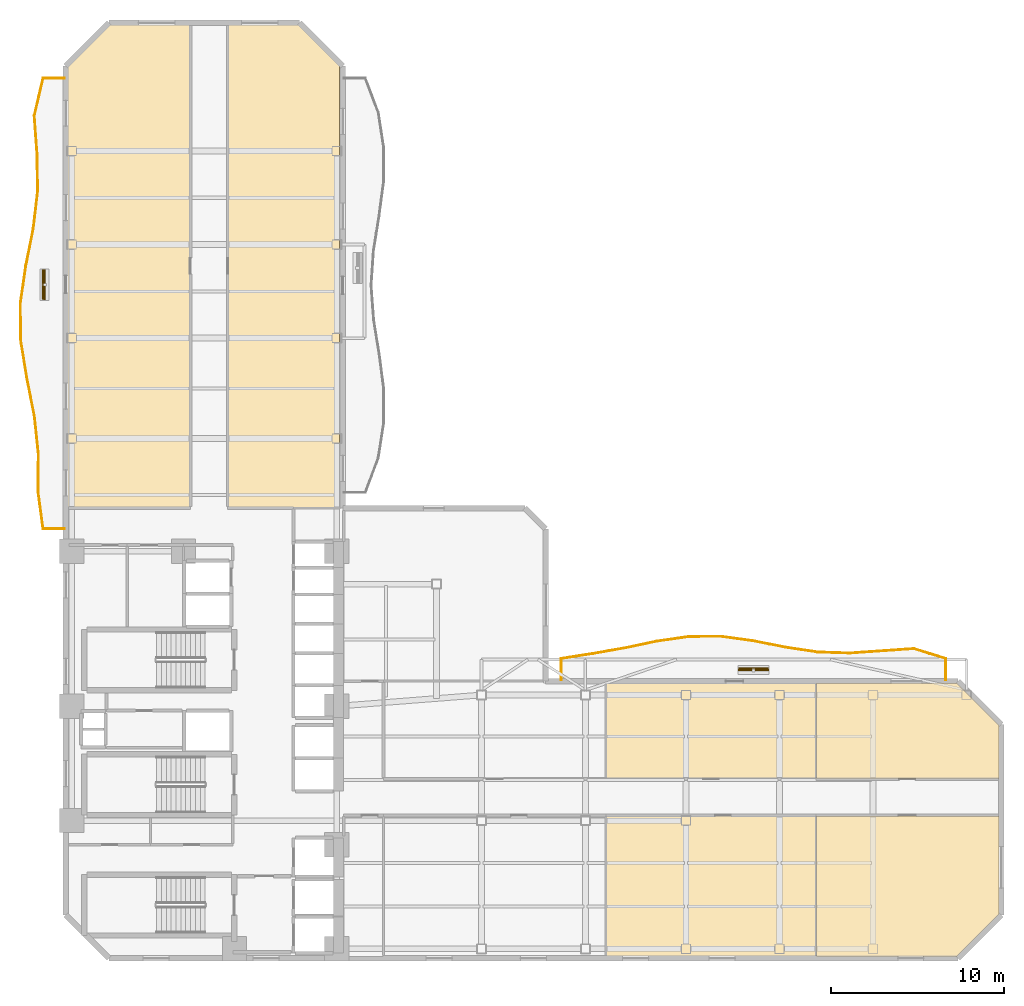
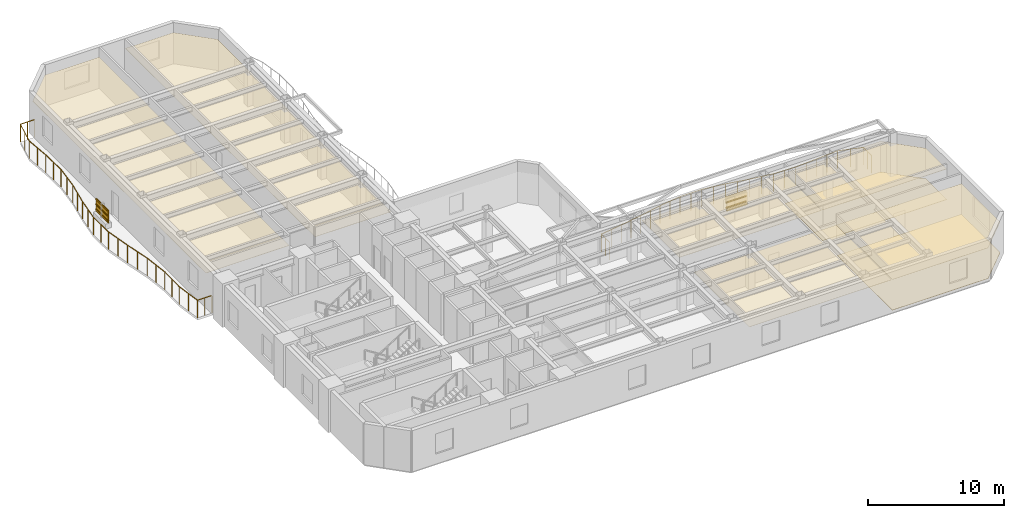
# One storey, part 9 of 10: 8 coverings, 8 shading devices, 2 railings.
"""IFC4 building model written with IfcOpenShell, lengths in metres."""

from ifc_helpers import new_model, si_unit, direction, frame, origin, origin_2d, place, context, subcontext, project, spatial, polyline, rectangle, outline, extrude, material, layer, layer_set, material_profile, profile_set, type_object, element, save


model = new_model("IFC4")

# Units and contexts
model_context = context("Model", 3, precision=1e-05, world=origin(), true_north=direction((0.0, 1.0)))
body_context = subcontext(model_context, "Body", "Model", "MODEL_VIEW")
ifc_project = project(units=[si_unit("LENGTHUNIT", "METRE"), si_unit("AREAUNIT", "SQUARE_METRE"), si_unit("VOLUMEUNIT", "CUBIC_METRE"), si_unit("PLANEANGLEUNIT", "RADIAN"), si_unit("MASSUNIT", "GRAM", prefix="KILO")], contexts=[model_context])

# Site, building, storey
site_placement = place(None, origin())
site = spatial("IfcSite", under=ifc_project, at=site_placement, CompositionType="ELEMENT")
building_placement = place(site_placement, origin())
building = spatial("IfcBuilding", under=site, at=building_placement, Name="Mawjaban Terraces University", CompositionType="ELEMENT")
storey_placement = place(building_placement, frame((0.0, 0.0, 73.89990234375)))
storey = spatial("IfcBuildingStorey", under=building, at=storey_placement, Name="L17", CompositionType="ELEMENT", Elevation=73.89990234375)

# Coverings
ifc_material_1 = material(Name="Acoustic mineral fibre ceiling tile", Category="masonry")
ifc_layer_1 = layer(ifc_material_1, 0.02001953125)
ifc_layer_set_1 = layer_set([ifc_layer_1], Name="Acoustic mineral fibre ceiling tile")
covering_type_1 = type_object("IfcCoveringType", Name="AcousticMineralCeiling_20", PredefinedType="CEILING", material=ifc_layer_set_1)
covering_1_placement = place(storey_placement, frame((0.0, 0.0, 2.75)))
element("IfcCovering", 1, at=covering_1_placement, inside=storey, type_object=covering_type_1, Name="L17 Graduate Study Lounge 4 Acoustic Ceiling", PredefinedType="CEILING", context=body_context, shape_type="SweptSolid", body=[
    extrude(outline(polyline([(53.214111328125, 0.114990234375), (65.27490234375, 0.114990234375), (65.27490234375, 8.219970703125), (53.214111328125, 8.219970703125), (53.214111328125, 0.114990234375)])), origin(), (0.0, 0.0, 1.0), 0.02001953125),
])
covering_2_placement = place(storey_placement, frame((0.0, 0.0, 2.75)))
element("IfcCovering", 2, at=covering_2_placement, inside=storey, type_object=covering_type_1, Name="L17 Collaborative Study Room 5 Acoustic Ceiling", PredefinedType="CEILING", context=body_context, shape_type="SweptSolid", body=[
    extrude(outline(polyline([(65.27490234375, 15.885009765625), (53.214111328125, 15.885009765625), (53.214111328125, 10.3798828125), (65.27490234375, 10.3798828125), (65.27490234375, 15.885009765625)])), origin(), (0.0, 0.0, 1.0), 0.02001953125),
])
covering_3_placement = place(storey_placement, frame((0.0, 0.0, 2.75)))
element("IfcCovering", 3, at=covering_3_placement, inside=storey, type_object=covering_type_1, Name="L17 Classroom 6 Acoustic Ceiling", PredefinedType="CEILING", context=body_context, shape_type="SweptSolid", body=[
    extrude(outline(polyline([(65.3349609375, 0.114990234375), (73.452880859375, 0.114990234375), (75.885009765625, 2.547119140625), (75.885009765625, 8.219970703125), (65.3349609375, 8.219970703125), (65.3349609375, 0.114990234375)])), origin(), (0.0, 0.0, 1.0), 0.02001953125),
])
covering_4_placement = place(storey_placement, frame((0.0, 0.0, 2.75)))
element("IfcCovering", 4, at=covering_4_placement, inside=storey, type_object=covering_type_1, Name="L17 Seminar Room 7 Acoustic Ceiling", PredefinedType="CEILING", context=body_context, shape_type="SweptSolid", body=[
    extrude(outline(polyline([(75.885009765625, 10.3798828125), (75.885009765625, 13.452880859375), (73.452880859375, 15.885009765625), (65.3349609375, 15.885009765625), (65.3349609375, 10.3798828125), (75.885009765625, 10.3798828125)])), origin(), (0.0, 0.0, 1.0), 0.02001953125),
])
covering_5_placement = place(storey_placement, frame((0.0, 0.0, 2.75)))
element("IfcCovering", 5, at=covering_5_placement, inside=storey, type_object=covering_type_1, Name="L17 Collaborative Study Room 8 Acoustic Ceiling", PredefinedType="CEILING", context=body_context, shape_type="SweptSolid", body=[
    extrude(outline(polyline([(29.169921875, 53.885009765625), (24.547119140625, 53.885009765625), (22.114990234375, 51.452880859375), (22.114990234375, 26.030029296875), (29.169921875, 26.030029296875), (29.169921875, 53.885009765625)])), origin(), (0.0, 0.0, 1.0), 0.02001953125),
])
covering_6_placement = place(storey_placement, frame((0.0, 0.0, 2.75)))
element("IfcCovering", 6, at=covering_6_placement, inside=storey, type_object=covering_type_1, Name="L17 Collaborative Study Room 9 Acoustic Ceiling", PredefinedType="CEILING", context=body_context, shape_type="SweptSolid", body=[
    extrude(outline(polyline([(35.452880859375, 53.885009765625), (31.3798828125, 53.885009765625), (31.3798828125, 26.030029296875), (37.820068359375, 26.030029296875), (37.820068359375, 51.51806640625), (35.452880859375, 53.885009765625)])), origin(), (0.0, 0.0, 1.0), 0.02001953125),
])

# Railings
ifc_material_2 = material(Name="Galvanised powder-coated steel S355", Category="steel")
railing_type = type_object("IfcRailingType", Name="BalconyBalustrade_1600", PredefinedType="BALUSTRADE", material=ifc_material_2)
railing_1_placement = place(storey_placement, frame((21.919921875, 24.800048828125, 0.0)))
element("IfcRailing", 7, at=railing_1_placement, inside=storey, type_object=railing_type, Name="L17 Balcony Guardrail west", PredefinedType="BALUSTRADE", context=body_context, shape_type="SweptSolid", body=[
    extrude(rectangle(XDim=0.048095703125, YDim=0.048095703125, at=origin_2d()), frame((0.0, 0.0, 1.576171875), z_axis=(-1.0, 0.0, 0.0), x_axis=(0.0, -1.0, 0.0)), (0.0, 0.0, 1.0), 1.219970703125),
    extrude(rectangle(XDim=0.048095703125, YDim=0.048095703125, at=origin_2d()), frame((-1.219970703125, 0.0, 1.576171875), z_axis=(-0.132222239086, 0.991220096392, 0.0), x_axis=(-0.991220096392, -0.132222239086, 0.0)), (0.0, 0.0, 1.0), 2.186279296875),
    extrude(rectangle(XDim=0.048095703125, YDim=0.048095703125, at=origin_2d()), frame((-1.509033203125, 2.1669921875, 1.576171875), z_axis=(0.009692962117, 0.999953022139, 0.0), x_axis=(-0.999953022139, 0.009692962117, 0.0)), (0.0, 0.0, 1.0), 2.166015625),
    extrude(rectangle(XDim=0.048095703125, YDim=0.048095703125, at=origin_2d()), frame((-1.488037109375, 4.3330078125, 1.576171875), z_axis=(-0.105536205986, 0.994415461076, 0.0), x_axis=(-0.994415461076, -0.105536205986, 0.0)), (0.0, 0.0, 1.0), 2.17919921875),
    extrude(rectangle(XDim=0.048095703125, YDim=0.048095703125, at=origin_2d()), frame((-1.718017578125, 6.5, 1.576171875), z_axis=(-0.194181673252, 0.980965584398, 0.0), x_axis=(-0.980965584398, -0.194181673252, 0.0)), (0.0, 0.0, 1.0), 2.208984375),
    extrude(rectangle(XDim=0.048095703125, YDim=0.048095703125, at=origin_2d()), frame((-2.14697265625, 8.6669921875, 1.576171875), z_axis=(-0.161728858018, 0.986835232693, 0.0), x_axis=(-0.986835232693, -0.161728858018, 0.0)), (0.0, 0.0, 1.0), 2.19482421875),
    extrude(rectangle(XDim=0.048095703125, YDim=0.048095703125, at=origin_2d()), frame((-2.501953125, 10.8330078125, 1.576171875), z_axis=(-0.013405735303, 0.999910139093, 0.0), x_axis=(-0.999910139093, -0.013405735303, 0.0)), (0.0, 0.0, 1.0), 2.167236328125),
    extrude(rectangle(XDim=0.048095703125, YDim=0.048095703125, at=origin_2d()), frame((-2.531005859375, 13.0, 1.576171875), z_axis=(0.144807165863, 0.989459895456, 0.0), x_axis=(-0.989459895456, 0.144807165863, 0.0)), (0.0, 0.0, 1.0), 2.190185546875),
    extrude(rectangle(XDim=0.048095703125, YDim=0.048095703125, at=origin_2d()), frame((-2.2138671875, 15.1669921875, 1.576171875), z_axis=(0.195542152971, 0.980695297435, 0.0), x_axis=(-0.980695297435, 0.195542152971, 0.0)), (0.0, 0.0, 1.0), 2.208740234375),
    extrude(rectangle(XDim=0.048095703125, YDim=0.048095703125, at=origin_2d()), frame((-1.781982421875, 17.3330078125, 1.576171875), z_axis=(0.116484164436, 0.993192549023, 0.0), x_axis=(-0.993192549023, 0.116484164436, 0.0)), (0.0, 0.0, 1.0), 2.181884765625),
    extrude(rectangle(XDim=0.048095703125, YDim=0.048095703125, at=origin_2d()), frame((-1.52783203125, 19.5, 1.576171875), z_axis=(-0.018023209892, 0.999837568761, 0.0), x_axis=(-0.999837568761, -0.018023209892, 0.0)), (0.0, 0.0, 1.0), 2.167236328125),
    extrude(rectangle(XDim=0.048095703125, YDim=0.048095703125, at=origin_2d()), frame((-1.56689453125, 21.6669921875, 1.576171875), z_axis=(-0.072732911519, 0.997351454394, 0.0), x_axis=(-0.997351454394, -0.072732911519, 0.0)), (0.0, 0.0, 1.0), 2.171875),
    extrude(rectangle(XDim=0.048095703125, YDim=0.048095703125, at=origin_2d()), frame((-1.724853515625, 23.8330078125, 1.576171875), z_axis=(0.226910488636, 0.97391561757, 0.0), x_axis=(-0.97391561757, 0.226910488636, 0.0)), (0.0, 0.0, 1.0), 2.22509765625),
    extrude(rectangle(XDim=0.048095703125, YDim=0.048095703125, at=origin_2d()), frame((-1.219970703125, 26.0, 1.576171875), z_axis=(1.0, 0.0, 0.0), x_axis=(0.0, 1.0, 0.0)), (0.0, 0.0, 1.0), 1.219970703125),
    extrude(rectangle(XDim=0.0419921875, YDim=0.0419921875, at=origin_2d()), origin(), (0.0, 0.0, 1.0), 1.552001953125),
    extrude(rectangle(XDim=0.0419921875, YDim=0.0419921875, at=origin_2d()), frame((-0.60986328125, 0.0, 0.0)), (0.0, 0.0, 1.0), 1.552001953125),
    extrude(rectangle(XDim=0.0419921875, YDim=0.0419921875, at=origin_2d()), frame((-1.219970703125, 0.0, 0.0)), (0.0, 0.0, 1.0), 1.552001953125),
    extrude(rectangle(XDim=0.0419921875, YDim=0.0419921875, at=origin_2d()), frame((-1.364501953125, 1.08349609375, 0.0)), (0.0, 0.0, 1.0), 1.552001953125),
    extrude(rectangle(XDim=0.0419921875, YDim=0.0419921875, at=origin_2d()), frame((-1.509033203125, 2.1669921875, 0.0)), (0.0, 0.0, 1.0), 1.552001953125),
    extrude(rectangle(XDim=0.0419921875, YDim=0.0419921875, at=origin_2d()), frame((-1.49853515625, 3.25, 0.0)), (0.0, 0.0, 1.0), 1.552001953125),
    extrude(rectangle(XDim=0.0419921875, YDim=0.0419921875, at=origin_2d()), frame((-1.488037109375, 4.3330078125, 0.0)), (0.0, 0.0, 1.0), 1.552001953125),
    extrude(rectangle(XDim=0.0419921875, YDim=0.0419921875, at=origin_2d()), frame((-1.60302734375, 5.41650390625, 0.0)), (0.0, 0.0, 1.0), 1.552001953125),
    extrude(rectangle(XDim=0.0419921875, YDim=0.0419921875, at=origin_2d()), frame((-1.718017578125, 6.5, 0.0)), (0.0, 0.0, 1.0), 1.552001953125),
    extrude(rectangle(XDim=0.0419921875, YDim=0.0419921875, at=origin_2d()), frame((-1.9326171875, 7.58349609375, 0.0)), (0.0, 0.0, 1.0), 1.552001953125),
    extrude(rectangle(XDim=0.0419921875, YDim=0.0419921875, at=origin_2d()), frame((-2.14697265625, 8.6669921875, 0.0)), (0.0, 0.0, 1.0), 1.552001953125),
    extrude(rectangle(XDim=0.0419921875, YDim=0.0419921875, at=origin_2d()), frame((-2.324462890625, 9.75, 0.0)), (0.0, 0.0, 1.0), 1.552001953125),
    extrude(rectangle(XDim=0.0419921875, YDim=0.0419921875, at=origin_2d()), frame((-2.501953125, 10.8330078125, 0.0)), (0.0, 0.0, 1.0), 1.552001953125),
    extrude(rectangle(XDim=0.0419921875, YDim=0.0419921875, at=origin_2d()), frame((-2.5166015625, 11.91650390625, 0.0)), (0.0, 0.0, 1.0), 1.552001953125),
    extrude(rectangle(XDim=0.0419921875, YDim=0.0419921875, at=origin_2d()), frame((-2.531005859375, 13.0, 0.0)), (0.0, 0.0, 1.0), 1.552001953125),
    extrude(rectangle(XDim=0.0419921875, YDim=0.0419921875, at=origin_2d()), frame((-2.37255859375, 14.08349609375, 0.0)), (0.0, 0.0, 1.0), 1.552001953125),
    extrude(rectangle(XDim=0.0419921875, YDim=0.0419921875, at=origin_2d()), frame((-2.2138671875, 15.1669921875, 0.0)), (0.0, 0.0, 1.0), 1.552001953125),
    extrude(rectangle(XDim=0.0419921875, YDim=0.0419921875, at=origin_2d()), frame((-1.998046875, 16.25, 0.0)), (0.0, 0.0, 1.0), 1.552001953125),
    extrude(rectangle(XDim=0.0419921875, YDim=0.0419921875, at=origin_2d()), frame((-1.781982421875, 17.3330078125, 0.0)), (0.0, 0.0, 1.0), 1.552001953125),
    extrude(rectangle(XDim=0.0419921875, YDim=0.0419921875, at=origin_2d()), frame((-1.65478515625, 18.41650390625, 0.0)), (0.0, 0.0, 1.0), 1.552001953125),
    extrude(rectangle(XDim=0.0419921875, YDim=0.0419921875, at=origin_2d()), frame((-1.52783203125, 19.5, 0.0)), (0.0, 0.0, 1.0), 1.552001953125),
    extrude(rectangle(XDim=0.0419921875, YDim=0.0419921875, at=origin_2d()), frame((-1.54736328125, 20.58349609375, 0.0)), (0.0, 0.0, 1.0), 1.552001953125),
    extrude(rectangle(XDim=0.0419921875, YDim=0.0419921875, at=origin_2d()), frame((-1.56689453125, 21.6669921875, 0.0)), (0.0, 0.0, 1.0), 1.552001953125),
    extrude(rectangle(XDim=0.0419921875, YDim=0.0419921875, at=origin_2d()), frame((-1.64599609375, 22.75, 0.0)), (0.0, 0.0, 1.0), 1.552001953125),
    extrude(rectangle(XDim=0.0419921875, YDim=0.0419921875, at=origin_2d()), frame((-1.724853515625, 23.8330078125, 0.0)), (0.0, 0.0, 1.0), 1.552001953125),
    extrude(rectangle(XDim=0.0419921875, YDim=0.0419921875, at=origin_2d()), frame((-1.472412109375, 24.91650390625, 0.0)), (0.0, 0.0, 1.0), 1.552001953125),
    extrude(rectangle(XDim=0.0419921875, YDim=0.0419921875, at=origin_2d()), frame((-1.219970703125, 26.0, 0.0)), (0.0, 0.0, 1.0), 1.552001953125),
    extrude(rectangle(XDim=0.0419921875, YDim=0.0419921875, at=origin_2d()), frame((-0.60986328125, 26.0, 0.0)), (0.0, 0.0, 1.0), 1.552001953125),
    extrude(rectangle(XDim=0.0419921875, YDim=0.0419921875, at=origin_2d()), frame((0.0, 26.0, 0.0)), (0.0, 0.0, 1.0), 1.552001953125),
])
railing_2_placement = place(storey_placement, frame((50.60009765625, 16.080078125, 0.0)))
element("IfcRailing", 8, at=railing_2_placement, inside=storey, type_object=railing_type, Name="L17 Balcony Guardrail inner_north", PredefinedType="BALUSTRADE", context=body_context, shape_type="SweptSolid", body=[
    extrude(rectangle(XDim=0.048095703125, YDim=0.048095703125, at=origin_2d()), frame((0.0, 0.0, 1.576171875), z_axis=(0.0, 1.0, 0.0), x_axis=(-1.0, 0.0, 0.0)), (0.0, 0.0, 1.0), 1.219970703125),
    extrude(rectangle(XDim=0.048095703125, YDim=0.048095703125, at=origin_2d()), frame((0.0, 1.219970703125, 1.576171875), z_axis=(0.987930483144, 0.154897903389, 0.0), x_axis=(-0.154897903389, 0.987930483144, 0.0)), (0.0, 0.0, 1.0), 1.87255859375),
    extrude(rectangle(XDim=0.048095703125, YDim=0.048095703125, at=origin_2d()), frame((1.849853515625, 1.510009765625, 1.576171875), z_axis=(0.984923242, 0.172991928623, 0.0), x_axis=(-0.172991928623, 0.984923242, 0.0)), (0.0, 0.0, 1.0), 1.87841796875),
    extrude(rectangle(XDim=0.048095703125, YDim=0.048095703125, at=origin_2d()), frame((3.699951171875, 1.8349609375, 1.576171875), z_axis=(0.978605932647, 0.205743599143, 0.0), x_axis=(-0.205743599143, 0.978605932647, 0.0)), (0.0, 0.0, 1.0), 1.890380859375),
    extrude(rectangle(XDim=0.048095703125, YDim=0.048095703125, at=origin_2d()), frame((5.5498046875, 2.223876953125, 1.576171875), z_axis=(0.989813195629, 0.142372180422, 0.0), x_axis=(-0.142372180422, 0.989813195629, 0.0)), (0.0, 0.0, 1.0), 1.869140625),
    extrude(rectangle(XDim=0.048095703125, YDim=0.048095703125, at=origin_2d()), frame((7.39990234375, 2.489990234375, 1.576171875), z_axis=(0.99999651728, 0.0026392096, 0.0), x_axis=(-0.0026392096, 0.99999651728, 0.0)), (0.0, 0.0, 1.0), 1.85009765625),
    extrude(rectangle(XDim=0.048095703125, YDim=0.048095703125, at=origin_2d()), frame((9.25, 2.494873046875, 1.576171875), z_axis=(0.990569803362, -0.137008994843, 0.0), x_axis=(0.137008994843, 0.990569803362, 0.0)), (0.0, 0.0, 1.0), 1.867431640625),
    extrude(rectangle(XDim=0.048095703125, YDim=0.048095703125, at=origin_2d()), frame((11.099853515625, 2.239013671875, 1.576171875), z_axis=(0.980769376634, -0.195170258639, 0.0), x_axis=(0.195170258639, 0.980769376634, 0.0)), (0.0, 0.0, 1.0), 1.886474609375),
    extrude(rectangle(XDim=0.048095703125, YDim=0.048095703125, at=origin_2d()), frame((12.949951171875, 1.870849609375, 1.576171875), z_axis=(0.98890857329, -0.148525532058, 0.0), x_axis=(0.148525532058, 0.98890857329, 0.0)), (0.0, 0.0, 1.0), 1.87060546875),
    extrude(rectangle(XDim=0.048095703125, YDim=0.048095703125, at=origin_2d()), frame((14.7998046875, 1.593017578125, 1.576171875), z_axis=(0.999473512656, -0.032445300094, 0.0), x_axis=(0.032445300094, 0.999473512656, 0.0)), (0.0, 0.0, 1.0), 1.85107421875),
    extrude(rectangle(XDim=0.048095703125, YDim=0.048095703125, at=origin_2d()), frame((16.64990234375, 1.532958984375, 1.576171875), z_axis=(0.997617848472, 0.068982812431, 0.0), x_axis=(-0.068982812431, 0.997617848472, 0.0)), (0.0, 0.0, 1.0), 1.8544921875),
    extrude(rectangle(XDim=0.048095703125, YDim=0.048095703125, at=origin_2d()), frame((18.5, 1.660888671875, 1.576171875), z_axis=(0.997617221891, 0.068991873337, 0.0), x_axis=(-0.068991873337, 0.997617221891, 0.0)), (0.0, 0.0, 1.0), 1.854248046875),
    extrude(rectangle(XDim=0.048095703125, YDim=0.048095703125, at=origin_2d()), frame((20.349853515625, 1.788818359375, 1.576171875), z_axis=(0.955838987426, -0.293890847282, 0.0), x_axis=(0.293890847282, 0.955838987426, 0.0)), (0.0, 0.0, 1.0), 1.935546875),
    extrude(rectangle(XDim=0.048095703125, YDim=0.048095703125, at=origin_2d()), frame((22.199951171875, 1.219970703125, 1.576171875), z_axis=(0.0, -1.0, 0.0), x_axis=(1.0, 0.0, 0.0)), (0.0, 0.0, 1.0), 1.219970703125),
    extrude(rectangle(XDim=0.0419921875, YDim=0.0419921875, at=origin_2d()), origin(), (0.0, 0.0, 1.0), 1.552001953125),
    extrude(rectangle(XDim=0.0419921875, YDim=0.0419921875, at=origin_2d()), frame((0.0, 0.60986328125, 0.0)), (0.0, 0.0, 1.0), 1.552001953125),
    extrude(rectangle(XDim=0.0419921875, YDim=0.0419921875, at=origin_2d()), frame((0.0, 1.219970703125, 0.0)), (0.0, 0.0, 1.0), 1.552001953125),
    extrude(rectangle(XDim=0.0419921875, YDim=0.0419921875, at=origin_2d()), frame((0.9248046875, 1.364990234375, 0.0)), (0.0, 0.0, 1.0), 1.552001953125),
    extrude(rectangle(XDim=0.0419921875, YDim=0.0419921875, at=origin_2d()), frame((1.849853515625, 1.510009765625, 0.0)), (0.0, 0.0, 1.0), 1.552001953125),
    extrude(rectangle(XDim=0.0419921875, YDim=0.0419921875, at=origin_2d()), frame((2.77490234375, 1.67236328125, 0.0)), (0.0, 0.0, 1.0), 1.552001953125),
    extrude(rectangle(XDim=0.0419921875, YDim=0.0419921875, at=origin_2d()), frame((3.699951171875, 1.8349609375, 0.0)), (0.0, 0.0, 1.0), 1.552001953125),
    extrude(rectangle(XDim=0.0419921875, YDim=0.0419921875, at=origin_2d()), frame((4.625, 2.029296875, 0.0)), (0.0, 0.0, 1.0), 1.552001953125),
    extrude(rectangle(XDim=0.0419921875, YDim=0.0419921875, at=origin_2d()), frame((5.5498046875, 2.223876953125, 0.0)), (0.0, 0.0, 1.0), 1.552001953125),
    extrude(rectangle(XDim=0.0419921875, YDim=0.0419921875, at=origin_2d()), frame((6.474853515625, 2.35693359375, 0.0)), (0.0, 0.0, 1.0), 1.552001953125),
    extrude(rectangle(XDim=0.0419921875, YDim=0.0419921875, at=origin_2d()), frame((7.39990234375, 2.489990234375, 0.0)), (0.0, 0.0, 1.0), 1.552001953125),
    extrude(rectangle(XDim=0.0419921875, YDim=0.0419921875, at=origin_2d()), frame((8.324951171875, 2.492431640625, 0.0)), (0.0, 0.0, 1.0), 1.552001953125),
    extrude(rectangle(XDim=0.0419921875, YDim=0.0419921875, at=origin_2d()), frame((9.25, 2.494873046875, 0.0)), (0.0, 0.0, 1.0), 1.552001953125),
    extrude(rectangle(XDim=0.0419921875, YDim=0.0419921875, at=origin_2d()), frame((10.1748046875, 2.366943359375, 0.0)), (0.0, 0.0, 1.0), 1.552001953125),
    extrude(rectangle(XDim=0.0419921875, YDim=0.0419921875, at=origin_2d()), frame((11.099853515625, 2.239013671875, 0.0)), (0.0, 0.0, 1.0), 1.552001953125),
    extrude(rectangle(XDim=0.0419921875, YDim=0.0419921875, at=origin_2d()), frame((12.02490234375, 2.054931640625, 0.0)), (0.0, 0.0, 1.0), 1.552001953125),
    extrude(rectangle(XDim=0.0419921875, YDim=0.0419921875, at=origin_2d()), frame((12.949951171875, 1.870849609375, 0.0)), (0.0, 0.0, 1.0), 1.552001953125),
    extrude(rectangle(XDim=0.0419921875, YDim=0.0419921875, at=origin_2d()), frame((13.875, 1.73193359375, 0.0)), (0.0, 0.0, 1.0), 1.552001953125),
    extrude(rectangle(XDim=0.0419921875, YDim=0.0419921875, at=origin_2d()), frame((14.7998046875, 1.593017578125, 0.0)), (0.0, 0.0, 1.0), 1.552001953125),
    extrude(rectangle(XDim=0.0419921875, YDim=0.0419921875, at=origin_2d()), frame((15.724853515625, 1.56298828125, 0.0)), (0.0, 0.0, 1.0), 1.552001953125),
    extrude(rectangle(XDim=0.0419921875, YDim=0.0419921875, at=origin_2d()), frame((16.64990234375, 1.532958984375, 0.0)), (0.0, 0.0, 1.0), 1.552001953125),
    extrude(rectangle(XDim=0.0419921875, YDim=0.0419921875, at=origin_2d()), frame((17.574951171875, 1.596923828125, 0.0)), (0.0, 0.0, 1.0), 1.552001953125),
    extrude(rectangle(XDim=0.0419921875, YDim=0.0419921875, at=origin_2d()), frame((18.5, 1.660888671875, 0.0)), (0.0, 0.0, 1.0), 1.552001953125),
    extrude(rectangle(XDim=0.0419921875, YDim=0.0419921875, at=origin_2d()), frame((19.4248046875, 1.724853515625, 0.0)), (0.0, 0.0, 1.0), 1.552001953125),
    extrude(rectangle(XDim=0.0419921875, YDim=0.0419921875, at=origin_2d()), frame((20.349853515625, 1.788818359375, 0.0)), (0.0, 0.0, 1.0), 1.552001953125),
    extrude(rectangle(XDim=0.0419921875, YDim=0.0419921875, at=origin_2d()), frame((21.27490234375, 1.50439453125, 0.0)), (0.0, 0.0, 1.0), 1.552001953125),
    extrude(rectangle(XDim=0.0419921875, YDim=0.0419921875, at=origin_2d()), frame((22.199951171875, 1.219970703125, 0.0)), (0.0, 0.0, 1.0), 1.552001953125),
    extrude(rectangle(XDim=0.0419921875, YDim=0.0419921875, at=origin_2d()), frame((22.199951171875, 0.60986328125, 0.0)), (0.0, 0.0, 1.0), 1.552001953125),
    extrude(rectangle(XDim=0.0419921875, YDim=0.0419921875, at=origin_2d()), frame((22.199951171875, 0.0, 0.0)), (0.0, 0.0, 1.0), 1.552001953125),
])

# Shading devices
ifc_material_3 = material(Name="Glazed architectural terracotta ceramic", Category="masonry")
ifc_material_profile = material_profile(ifc_material_3, rectangle(XDim=0.06494140625, YDim=0.110107421875, at=origin_2d()), Name="TBAG110X65")
ifc_profile_set = profile_set([ifc_material_profile], Name="Glazed architectural terracotta ceramic")
shading_device_type_1 = type_object("IfcShadingDeviceType", Name="TerracottaBaguette_110x65", PredefinedType="USERDEFINED", material=ifc_profile_set)
for number, where, z_axis, x_axis, name in (
    (9, (20.694091796875, 38.032958984375, 0.68017578125), (0.0, 1.0, 0.0), (-1.0, 0.0, 0.0), "L17 Horizontal Terracotta Baguette west.1"),
    (10, (20.694091796875, 38.032958984375, 1.150146484375), (0.0, 1.0, 0.0), (-1.0, 0.0, 0.0), "L17 Horizontal Terracotta Baguette west.2"),
    (11, (20.694091796875, 38.032958984375, 1.6201171875), (0.0, 1.0, 0.0), (-1.0, 0.0, 0.0), "L17 Horizontal Terracotta Baguette west.3"),
    (12, (60.85009765625, 16.72998046875, 0.68017578125), (1.0, 0.0, 0.0), (0.0, 1.0, 0.0), "L17 Horizontal Terracotta Baguette inner_north.1"),
    (13, (60.85009765625, 16.72998046875, 1.150146484375), (1.0, 0.0, 0.0), (0.0, 1.0, 0.0), "L17 Horizontal Terracotta Baguette inner_north.2"),
    (14, (60.85009765625, 16.72998046875, 1.6201171875), (1.0, 0.0, 0.0), (0.0, 1.0, 0.0), "L17 Horizontal Terracotta Baguette inner_north.3"),
):
    element("IfcShadingDevice", number, at=place(storey_placement, frame(where, z_axis=z_axis, x_axis=x_axis)), inside=storey, type_object=shading_device_type_1, Name=name, ObjectType="BAGUETTE", PredefinedType="USERDEFINED", context=body_context, shape_type="SweptSolid", body=[
        extrude(rectangle(XDim=0.06494140625, YDim=0.110107421875, at=origin_2d()), origin(), (0.0, 0.0, 1.0), 1.699951171875),
    ])
ifc_layer_2 = layer(ifc_material_3, 0.080078125)
ifc_layer_set_2 = layer_set([ifc_layer_2], Name="Glazed architectural terracotta ceramic")
shading_device_type_2 = type_object("IfcShadingDeviceType", Name="TerracottaScreen_Perforated", PredefinedType="USERDEFINED", material=ifc_layer_set_2)
for number, where, z_axis, x_axis, name in (
    (15, (20.779052734375, 38.883056640625, 0.440185546875), (0.0, 0.0, 1.0), (0.0, 1.0, 0.0), "L17 Balcony Perforated Terracotta Screen west"),
    (16, (61.699951171875, 16.64501953125, 0.440185546875), (0.0, 0.0, 1.0), (1.0, 0.0, 0.0), "L17 Balcony Perforated Terracotta Screen inner_north"),
):
    element("IfcShadingDevice", number, at=place(storey_placement, frame(where, z_axis=z_axis, x_axis=x_axis)), inside=storey, type_object=shading_device_type_2, Name=name, ObjectType="SCREEN", PredefinedType="USERDEFINED", context=body_context, shape_type="SweptSolid", body=[
        extrude(rectangle(XDim=1.75, YDim=0.080078125, at=origin_2d()), origin(), (0.0, 0.0, 1.0), 1.14990234375),
    ])

# Coverings
ifc_material_4 = material(Name="Polished Hijazi granite terrazzo flooring", Category="masonry")
ifc_layer_3 = layer(ifc_material_4, 0.02490234375)
ifc_layer_set_3 = layer_set([ifc_layer_3], Name="Polished Hijazi granite terrazzo flooring")
covering_type_2 = type_object("IfcCoveringType", Name="TerrazzoConcourseFlooring_25", PredefinedType="FLOORING", material=ifc_layer_set_3)
covering_7_placement = place(storey_placement, origin())
element("IfcCovering", 17, at=covering_7_placement, inside=storey, type_object=covering_type_2, Name="L17 Classroom 6 Terrazzo Flooring", PredefinedType="FLOORING", context=body_context, shape_type="SweptSolid", body=[
    extrude(outline(polyline([(65.3349609375, 0.114990234375), (73.452880859375, 0.114990234375), (75.885009765625, 2.547119140625), (75.885009765625, 8.219970703125), (65.3349609375, 8.219970703125), (65.3349609375, 0.114990234375)])), origin(), (0.0, 0.0, 1.0), 0.025146484375),
])
covering_8_placement = place(storey_placement, origin())
element("IfcCovering", 18, at=covering_8_placement, inside=storey, type_object=covering_type_2, Name="L17 Seminar Room 7 Terrazzo Flooring", PredefinedType="FLOORING", context=body_context, shape_type="SweptSolid", body=[
    extrude(outline(polyline([(75.885009765625, 10.3798828125), (75.885009765625, 13.452880859375), (73.452880859375, 15.885009765625), (65.3349609375, 15.885009765625), (65.3349609375, 10.3798828125), (75.885009765625, 10.3798828125)])), origin(), (0.0, 0.0, 1.0), 0.025146484375),
])

save(model, "model.ifc")
